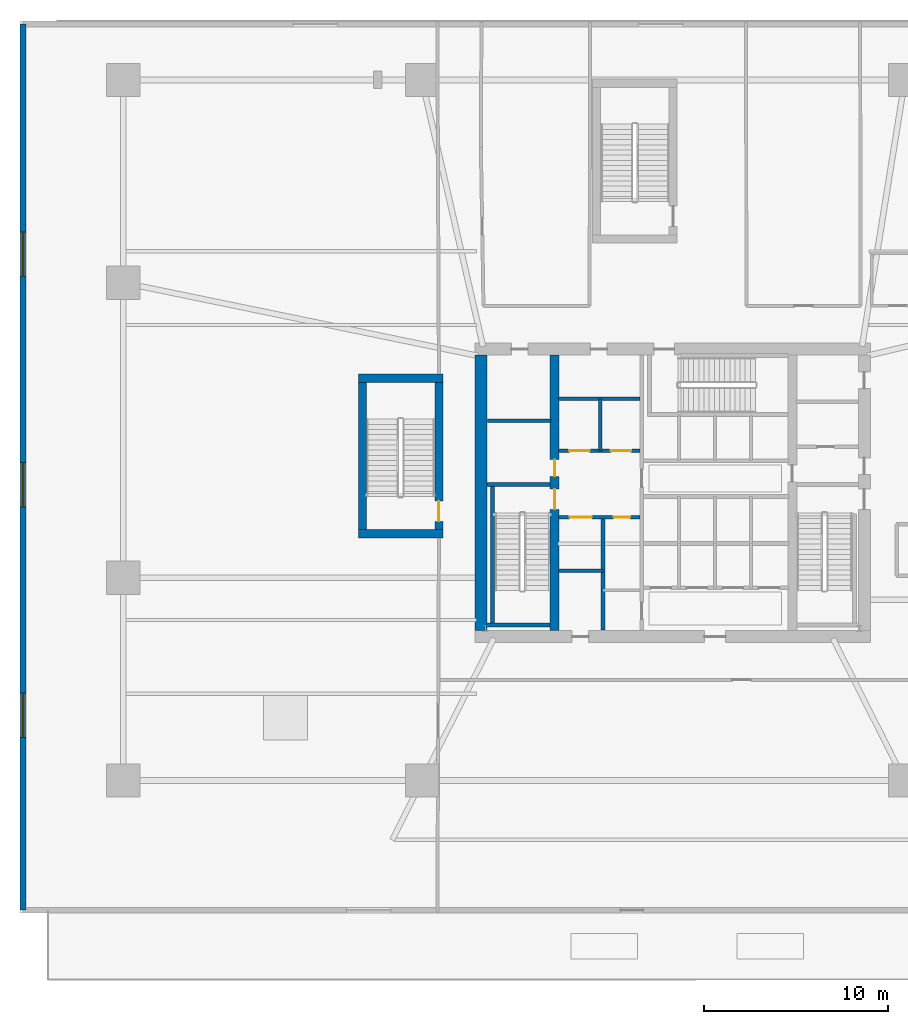
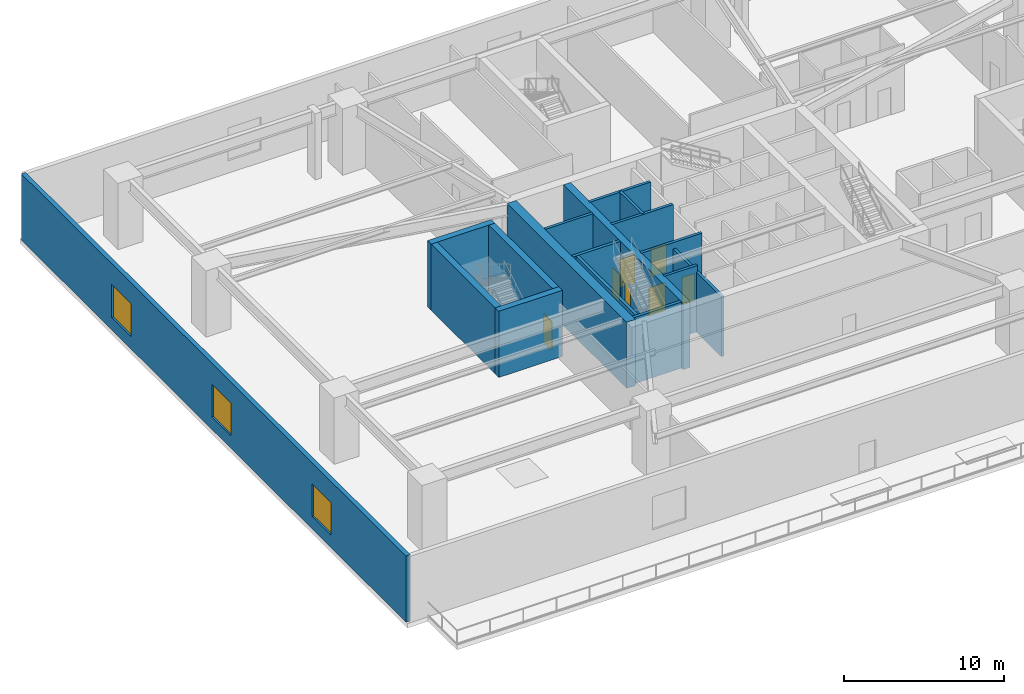
# One storey, part 4 of 11: 17 walls, 7 doors, 3 windows, 10 openings.
"""IFC4 building model written with IfcOpenShell, lengths in metres."""

from ifc_helpers import new_model, si_unit, direction, frame, frame_2d, origin, place, context, subcontext, project, spatial, rectangle, extrude, material, layer, layer_set, type_object, element, fill, save


model = new_model("IFC4")

# Units and contexts
model_context = context("Model", 3, precision=1e-05, world=origin(), true_north=direction((0.0, 1.0)))
body_context = subcontext(model_context, "Body", "Model", "MODEL_VIEW")
ifc_project = project(units=[si_unit("LENGTHUNIT", "METRE"), si_unit("AREAUNIT", "SQUARE_METRE"), si_unit("VOLUMEUNIT", "CUBIC_METRE"), si_unit("PLANEANGLEUNIT", "RADIAN"), si_unit("MASSUNIT", "GRAM", prefix="KILO")], contexts=[model_context])

# Site, building, storey
site_placement = place(None, origin())
site = spatial("IfcSite", under=ifc_project, at=site_placement, CompositionType="ELEMENT")
building_placement = place(site_placement, origin())
building = spatial("IfcBuilding", under=site, at=building_placement, Name="Qarnah Convention Tower", CompositionType="ELEMENT")
storey_placement = place(building_placement, frame((0.0, 0.0, 5.39990234375)))
storey = spatial("IfcBuildingStorey", under=building, at=storey_placement, Name="L01", CompositionType="ELEMENT", Elevation=5.39990234375)

# Wall
ifc_material_1 = material(Name="Concrete C60/75", Category="concrete")
ifc_layer_1 = layer(ifc_material_1, 0.64990234375)
ifc_layer_set_1 = layer_set([ifc_layer_1], Name="Concrete C60/75")
wall_type_1 = type_object("IfcWallType", Name="WL-CORE-650", PredefinedType="SHEAR", material=ifc_layer_set_1)
wall_1_placement = place(storey_placement, frame((26.800048828125, 18.925048828125, 0.0), z_axis=(0.0, 0.0, 1.0), x_axis=(0.0, 1.0, 0.0)))
element("IfcWall", 1, at=wall_1_placement, inside=storey, type_object=wall_type_1, Name="L01 core west shear wall", PredefinedType="SHEAR", context=body_context, shape_type="SweptSolid", body=[
    extrude(rectangle(XDim=14.949951171875, YDim=0.64990234375, at=frame_2d((7.47509765625, 0.0))), origin(), (0.0, 0.0, 1.0), 5.050048828125),
])

# Wall, openings, doors
ifc_layer_2 = layer(ifc_material_1, 0.5)
ifc_layer_set_2 = layer_set([ifc_layer_2], Name="Concrete C60/75")
wall_type_2 = type_object("IfcWallType", Name="WL-CORE-INT-400", PredefinedType="SHEAR", material=ifc_layer_set_2)
wall_2_placement = place(storey_placement, frame((30.800048828125, 18.925048828125, 0.0), z_axis=(0.0, 0.0, 1.0), x_axis=(0.0, 1.0, 0.0)))
wall_2 = element("IfcWall", 2, at=wall_2_placement, inside=storey, type_object=wall_type_2, Name="L01 core west spine shear wall", PredefinedType="SHEAR", context=body_context, shape_type="SweptSolid", body=[
    extrude(rectangle(XDim=14.949951171875, YDim=0.5, at=frame_2d((7.47509765625, 0.0))), origin(), (0.0, 0.0, 1.0), 5.050048828125),
])
opening_1_placement = place(wall_2_placement, frame((6.574951171875, 0.0, 0.0)))
opening_1 = element("IfcOpeningElement", 3, at=opening_1_placement, cuts=wall_2, Name="Opening D-0101", PredefinedType="OPENING", context=body_context, shape_type="SweptSolid", body=[
    extrude(rectangle(XDim=1.10009765625, YDim=2.14990234375, at=frame_2d((0.550048828125, 1.074951171875))), frame((0.0, 0.260009765625, 0.0), z_axis=(0.0, -1.0, 0.0), x_axis=(1.0, 0.0, 0.0)), (0.0, 0.0, 1.0), 0.52001953125),
])
opening_2_placement = place(wall_2_placement, frame((8.375, 0.0, 0.0)))
opening_2 = element("IfcOpeningElement", 4, at=opening_2_placement, cuts=wall_2, Name="Opening D-0108", PredefinedType="OPENING", context=body_context, shape_type="SweptSolid", body=[
    extrude(rectangle(XDim=0.89990234375, YDim=2.10009765625, at=frame_2d((0.449951171875, 1.050048828125))), frame((0.0, 0.260009765625, 0.0), z_axis=(0.0, -1.0, 0.0), x_axis=(1.0, 0.0, 0.0)), (0.0, 0.0, 1.0), 0.52001953125),
])
ifc_material_2 = material(Name="Structural steel S355JR", Category="steel")
door_type_1 = type_object("IfcDoorType", Name="DT-RISER-900", OperationType="NOTDEFINED", PredefinedType="DOOR", material=ifc_material_2)
door_1_placement = place(opening_2_placement, origin())
door_1 = element("IfcDoor", 5, at=door_1_placement, inside=storey, type_object=door_type_1, Name="Door D-0108", OperationType="SINGLE_SWING_LEFT", OverallHeight=2.10009765625, OverallWidth=0.89990234375, PredefinedType="DOOR", context=body_context, shape_type="SweptSolid", body=[
    extrude(rectangle(XDim=0.89990234375, YDim=2.10009765625, at=frame_2d((0.449951171875, 1.050048828125))), frame((0.0, 0.02490234375, 0.0), z_axis=(0.0, -1.0, 0.0), x_axis=(1.0, 0.0, 0.0)), (0.0, 0.0, 1.0), 0.050048828125),
])
fill(opening_2, door_1)
door_type_2 = type_object("IfcDoorType", Name="DT-STAIR-1100", OperationType="NOTDEFINED", PredefinedType="DOOR", material=ifc_material_2)
door_2_placement = place(opening_1_placement, origin())
door_2 = element("IfcDoor", 6, at=door_2_placement, inside=storey, type_object=door_type_2, Name="Door D-0101", OperationType="SINGLE_SWING_RIGHT", OverallHeight=2.14990234375, OverallWidth=1.10009765625, PredefinedType="DOOR", context=body_context, shape_type="SweptSolid", body=[
    extrude(rectangle(XDim=1.10009765625, YDim=2.14990234375, at=frame_2d((0.550048828125, 1.074951171875))), frame((0.0, 0.02490234375, 0.0), z_axis=(0.0, -1.0, 0.0), x_axis=(1.0, 0.0, 0.0)), (0.0, 0.0, 1.0), 0.050048828125),
])
fill(opening_1, door_2)

# Wall
ifc_material_3 = material(Name="Concrete C45/55", Category="concrete")
ifc_layer_3 = layer(ifc_material_3, 0.199951171875)
ifc_layer_set_3 = layer_set([ifc_layer_3], Name="Concrete C45/55")
wall_type_3 = type_object("IfcWallType", Name="WL-CORE-PART-200", PredefinedType="SOLIDWALL", material=ifc_layer_set_3)
wall_3_placement = place(storey_placement, frame((27.14990234375, 30.320068359375, 0.0), z_axis=(0.0, 0.0, 1.0), x_axis=(1.0, 0.0, 0.0)))
element("IfcWall", 7, at=wall_3_placement, inside=storey, type_object=wall_type_3, Name="L01 interior wall IW-L01-ELRN", PredefinedType="SOLIDWALL", context=body_context, shape_type="SweptSolid", body=[
    extrude(rectangle(XDim=3.4501953125, YDim=0.199951171875, at=frame_2d((1.72509765625, 0.0))), origin(), (0.0, 0.0, 1.0), 5.050048828125),
])

# Wall, openings, doors
wall_4_placement = place(storey_placement, frame((31.0, 28.679931640625, 0.0), z_axis=(0.0, 0.0, 1.0), x_axis=(1.0, 0.0, 0.0)))
wall_4 = element("IfcWall", 8, at=wall_4_placement, inside=storey, type_object=wall_type_3, Name="L01 interior wall IW-L01-FFLS", PredefinedType="SOLIDWALL", context=body_context, shape_type="SweptSolid", body=[
    extrude(rectangle(XDim=4.419921875, YDim=0.199951171875, at=frame_2d((2.2099609375, 0.0))), origin(), (0.0, 0.0, 1.0), 5.050048828125),
])
opening_3_placement = place(wall_4_placement, frame((0.60009765625, 0.0, 0.0)))
opening_3 = element("IfcOpeningElement", 9, at=opening_3_placement, cuts=wall_4, Name="Opening LD-0101", PredefinedType="OPENING", context=body_context, shape_type="SweptSolid", body=[
    extrude(rectangle(XDim=1.10009765625, YDim=2.14990234375, at=frame_2d((0.550048828125, 1.074951171875))), frame((0.0, 0.10986328125, 0.0), z_axis=(0.0, -1.0, 0.0), x_axis=(1.0, 0.0, 0.0)), (0.0, 0.0, 1.0), 0.219970703125),
])
opening_4_placement = place(wall_4_placement, frame((2.85009765625, 0.0, 0.0)))
opening_4 = element("IfcOpeningElement", 10, at=opening_4_placement, cuts=wall_4, Name="Opening LD-0102", PredefinedType="OPENING", context=body_context, shape_type="SweptSolid", body=[
    extrude(rectangle(XDim=1.10009765625, YDim=2.14990234375, at=frame_2d((0.550048828125, 1.074951171875))), frame((0.0, 0.10986328125, 0.0), z_axis=(0.0, -1.0, 0.0), x_axis=(1.0, 0.0, 0.0)), (0.0, 0.0, 1.0), 0.219970703125),
])
door_type_3 = type_object("IfcDoorType", Name="DT-LIFT-1100", OperationType="SLIDING_TO_LEFT", PredefinedType="DOOR", material=ifc_material_2)
door_3_placement = place(opening_3_placement, origin())
door_3 = element("IfcDoor", 11, at=door_3_placement, inside=storey, type_object=door_type_3, Name="Door LD-0101", OperationType="SLIDING_TO_LEFT", OverallHeight=2.14990234375, OverallWidth=1.10009765625, PredefinedType="DOOR", context=body_context, shape_type="SweptSolid", body=[
    extrude(rectangle(XDim=1.10009765625, YDim=2.14990234375, at=frame_2d((0.550048828125, 1.074951171875))), frame((0.0, 0.02490234375, 0.0), z_axis=(0.0, -1.0, 0.0), x_axis=(1.0, 0.0, 0.0)), (0.0, 0.0, 1.0), 0.050048828125),
])
fill(opening_3, door_3)
door_4_placement = place(opening_4_placement, origin())
door_4 = element("IfcDoor", 12, at=door_4_placement, inside=storey, type_object=door_type_3, Name="Door LD-0102", OperationType="SLIDING_TO_LEFT", OverallHeight=2.14990234375, OverallWidth=1.10009765625, PredefinedType="DOOR", context=body_context, shape_type="SweptSolid", body=[
    extrude(rectangle(XDim=1.10009765625, YDim=2.14990234375, at=frame_2d((0.550048828125, 1.074951171875))), frame((0.0, 0.02490234375, 0.0), z_axis=(0.0, -1.0, 0.0), x_axis=(1.0, 0.0, 0.0)), (0.0, 0.0, 1.0), 0.050048828125),
])
fill(opening_4, door_4)

# Walls
wall_5_placement = place(storey_placement, frame((31.0, 31.5, 0.0), z_axis=(0.0, 0.0, 1.0), x_axis=(1.0, 0.0, 0.0)))
element("IfcWall", 13, at=wall_5_placement, inside=storey, type_object=wall_type_3, Name="L01 interior wall IW-L01-FFLN", PredefinedType="SOLIDWALL", context=body_context, shape_type="SweptSolid", body=[
    extrude(rectangle(XDim=4.419921875, YDim=0.199951171875, at=frame_2d((2.2099609375, 0.0))), origin(), (0.0, 0.0, 1.0), 5.050048828125),
])
wall_6_placement = place(storey_placement, frame((33.280029296875, 28.679931640625, 0.0), z_axis=(0.0, 0.0, 1.0), x_axis=(0.0, 1.0, 0.0)))
element("IfcWall", 14, at=wall_6_placement, inside=storey, type_object=wall_type_3, Name="L01 interior wall IW-L01-FFLM", PredefinedType="SOLIDWALL", context=body_context, shape_type="SweptSolid", body=[
    extrude(rectangle(XDim=2.820068359375, YDim=0.199951171875, at=frame_2d((1.41015625, 0.0))), origin(), (0.0, 0.0, 1.0), 5.050048828125),
])

# Wall, openings, doors
wall_7_placement = place(storey_placement, frame((31.0, 25.080078125, 0.0), z_axis=(0.0, 0.0, 1.0), x_axis=(1.0, 0.0, 0.0)))
wall_7 = element("IfcWall", 15, at=wall_7_placement, inside=storey, type_object=wall_type_3, Name="L01 interior wall IW-L01-FFLBS", PredefinedType="SOLIDWALL", context=body_context, shape_type="SweptSolid", body=[
    extrude(rectangle(XDim=4.419921875, YDim=0.199951171875, at=frame_2d((2.2099609375, 0.0))), origin(), (0.0, 0.0, 1.0), 5.050048828125),
])
opening_5_placement = place(wall_7_placement, frame((3.0, 0.0, 0.0)))
opening_5 = element("IfcOpeningElement", 16, at=opening_5_placement, cuts=wall_7, Name="Opening D-0115", PredefinedType="OPENING", context=body_context, shape_type="SweptSolid", body=[
    extrude(rectangle(XDim=0.89990234375, YDim=2.10009765625, at=frame_2d((0.449951171875, 1.050048828125))), frame((0.0, 0.10986328125, 0.0), z_axis=(0.0, -1.0, 0.0), x_axis=(1.0, 0.0, 0.0)), (0.0, 0.0, 1.0), 0.219970703125),
])
opening_6_placement = place(wall_7_placement, frame((0.6201171875, 0.0, 0.0)))
opening_6 = element("IfcOpeningElement", 17, at=opening_6_placement, cuts=wall_7, Name="Opening LD-0103", PredefinedType="OPENING", context=body_context, shape_type="SweptSolid", body=[
    extrude(rectangle(XDim=1.199951171875, YDim=2.14990234375, at=frame_2d((0.60009765625, 1.074951171875))), frame((0.0, 0.10986328125, 0.0), z_axis=(0.0, -1.0, 0.0), x_axis=(1.0, 0.0, 0.0)), (0.0, 0.0, 1.0), 0.219970703125),
])
door_type_4 = type_object("IfcDoorType", Name="DT-LIFT-1200", OperationType="SLIDING_TO_LEFT", PredefinedType="DOOR", material=ifc_material_2)
door_5_placement = place(opening_6_placement, origin())
door_5 = element("IfcDoor", 18, at=door_5_placement, inside=storey, type_object=door_type_4, Name="Door LD-0103", OperationType="SLIDING_TO_LEFT", OverallHeight=2.14990234375, OverallWidth=1.199951171875, PredefinedType="DOOR", context=body_context, shape_type="SweptSolid", body=[
    extrude(rectangle(XDim=1.199951171875, YDim=2.14990234375, at=frame_2d((0.60009765625, 1.074951171875))), frame((0.0, 0.02490234375, 0.0), z_axis=(0.0, -1.0, 0.0), x_axis=(1.0, 0.0, 0.0)), (0.0, 0.0, 1.0), 0.050048828125),
])
fill(opening_6, door_5)
door_6_placement = place(opening_5_placement, origin())
door_6 = element("IfcDoor", 19, at=door_6_placement, inside=storey, type_object=door_type_1, Name="Door D-0115", OperationType="SINGLE_SWING_RIGHT", OverallHeight=2.10009765625, OverallWidth=0.89990234375, PredefinedType="DOOR", context=body_context, shape_type="SweptSolid", body=[
    extrude(rectangle(XDim=0.89990234375, YDim=2.10009765625, at=frame_2d((0.449951171875, 1.050048828125))), frame((0.0, 0.02490234375, 0.0), z_axis=(0.0, -1.0, 0.0), x_axis=(1.0, 0.0, 0.0)), (0.0, 0.0, 1.0), 0.050048828125),
])
fill(opening_5, door_6)

# Walls
wall_8_placement = place(storey_placement, frame((33.419921875, 18.949951171875, 0.0), z_axis=(0.0, 0.0, 1.0), x_axis=(0.0, 1.0, 0.0)))
element("IfcWall", 20, at=wall_8_placement, inside=storey, type_object=wall_type_3, Name="L01 interior wall IW-L01-SVLE", PredefinedType="SOLIDWALL", context=body_context, shape_type="SweptSolid", body=[
    extrude(rectangle(XDim=6.130126953125, YDim=0.199951171875, at=frame_2d((3.06494140625, 0.0))), origin(), (0.0, 0.0, 1.0), 4.571044921875),
])
wall_9_placement = place(storey_placement, frame((31.0, 22.179931640625, 0.0), z_axis=(0.0, 0.0, 1.0), x_axis=(1.0, 0.0, 0.0)))
element("IfcWall", 21, at=wall_9_placement, inside=storey, type_object=wall_type_3, Name="L01 interior wall IW-L01-SVLS", PredefinedType="SOLIDWALL", context=body_context, shape_type="SweptSolid", body=[
    extrude(rectangle(XDim=2.419921875, YDim=0.199951171875, at=frame_2d((1.2099609375, 0.0))), origin(), (0.0, 0.0, 1.0), 5.050048828125),
])
ifc_layer_4 = layer(ifc_material_1, 0.219970703125)
ifc_layer_set_4 = layer_set([ifc_layer_4], Name="Concrete C60/75")
wall_type_4 = type_object("IfcWallType", Name="WL-CORE-STAIR-220", PredefinedType="SHEAR", material=ifc_layer_set_4)
wall_10_placement = place(storey_placement, frame((27.125, 26.860107421875, 0.0), z_axis=(0.0, 0.0, 1.0), x_axis=(1.0, 0.0, 0.0)))
element("IfcWall", 22, at=wall_10_placement, inside=storey, type_object=wall_type_4, Name="L01 stair shaft shear wall SW-L01-ST1N", PredefinedType="SHEAR", context=body_context, shape_type="SweptSolid", body=[
    extrude(rectangle(XDim=3.425048828125, YDim=0.219970703125, at=frame_2d((1.71240234375, 0.0))), origin(), (0.0, 0.0, 1.0), 5.050048828125),
])
wall_11_placement = place(storey_placement, frame((27.43994140625, 19.35009765625, 0.0), z_axis=(0.0, 0.0, 1.0), x_axis=(0.0, 1.0, 0.0)))
element("IfcWall", 23, at=wall_11_placement, inside=storey, type_object=wall_type_4, Name="L01 stair shaft shear wall SW-L01-ST1W", PredefinedType="SHEAR", context=body_context, shape_type="SweptSolid", body=[
    extrude(rectangle(XDim=7.39990234375, YDim=0.219970703125, at=frame_2d((3.699951171875, 0.0))), origin(), (0.0, 0.0, 1.0), 5.050048828125),
])
wall_12_placement = place(storey_placement, frame((27.125, 19.239990234375, 0.0), z_axis=(0.0, 0.0, 1.0), x_axis=(1.0, 0.0, 0.0)))
element("IfcWall", 24, at=wall_12_placement, inside=storey, type_object=wall_type_4, Name="L01 stair shaft shear wall SW-L01-ST1S", PredefinedType="SHEAR", context=body_context, shape_type="SweptSolid", body=[
    extrude(rectangle(XDim=3.425048828125, YDim=0.219970703125, at=frame_2d((1.71240234375, 0.0))), origin(), (0.0, 0.0, 1.0), 5.050048828125),
])

# Wall, openings, windows
ifc_material_4 = material(Name="Precast concrete C45/55", Category="concrete")
ifc_layer_5 = layer(ifc_material_4, 0.320068359375)
ifc_layer_set_5 = layer_set([ifc_layer_5], Name="Precast concrete C45/55")
wall_type_5 = type_object("IfcWallType", Name="WL-EXT-POD-320", PredefinedType="SOLIDWALL", material=ifc_layer_set_5)
wall_13_placement = place(storey_placement, frame((1.9599609375, 3.760009765625, 0.0), z_axis=(0.0, 0.0, 1.0), x_axis=(0.0, 1.0, 0.0)))
wall_13 = element("IfcWall", 25, at=wall_13_placement, inside=storey, type_object=wall_type_5, Name="L01 precast facade wall W", PredefinedType="SOLIDWALL", context=body_context, shape_type="SweptSolid", body=[
    extrude(rectangle(XDim=48.080078125, YDim=0.320068359375, at=frame_2d((24.0400390625, 0.0))), origin(), (0.0, 0.0, 1.0), 5.050048828125),
])
opening_7_placement = place(wall_13_placement, frame((9.3779296875, 0.0, 0.949951171875)))
opening_7 = element("IfcOpeningElement", 26, at=opening_7_placement, cuts=wall_13, Name="Opening WN1", PredefinedType="OPENING", context=body_context, shape_type="SweptSolid", body=[
    extrude(rectangle(XDim=2.39990234375, YDim=2.5, at=frame_2d((1.199951171875, 1.25))), frame((0.0, 0.169921875, 0.0), z_axis=(0.0, -1.0, 0.0), x_axis=(1.0, 0.0, 0.0)), (0.0, 0.0, 1.0), 0.340087890625),
])
opening_8_placement = place(wall_13_placement, frame((21.8779296875, 0.0, 0.949951171875)))
opening_8 = element("IfcOpeningElement", 27, at=opening_8_placement, cuts=wall_13, Name="Opening WN1", PredefinedType="OPENING", context=body_context, shape_type="SweptSolid", body=[
    extrude(rectangle(XDim=2.39990234375, YDim=2.5, at=frame_2d((1.199951171875, 1.25))), frame((0.0, 0.169921875, 0.0), z_axis=(0.0, -1.0, 0.0), x_axis=(1.0, 0.0, 0.0)), (0.0, 0.0, 1.0), 0.340087890625),
])
opening_9_placement = place(wall_13_placement, frame((34.37890625, 0.0, 0.949951171875)))
opening_9 = element("IfcOpeningElement", 28, at=opening_9_placement, cuts=wall_13, Name="Opening WN1", PredefinedType="OPENING", context=body_context, shape_type="SweptSolid", body=[
    extrude(rectangle(XDim=2.39990234375, YDim=2.5, at=frame_2d((1.199951171875, 1.25))), frame((0.0, 0.169921875, 0.0), z_axis=(0.0, -1.0, 0.0), x_axis=(1.0, 0.0, 0.0)), (0.0, 0.0, 1.0), 0.340087890625),
])
ifc_material_5 = material(Name="Tempered Low-E dark glass", Category="glass")
window_type = type_object("IfcWindowType", Name="WT-POD-2400X2600", PartitioningType="SINGLE_PANEL", PredefinedType="WINDOW", material=ifc_material_5)
window_1_placement = place(opening_7_placement, origin())
window_1 = element("IfcWindow", 29, at=window_1_placement, inside=storey, type_object=window_type, Name="Window WIN-L01-W1", OverallHeight=2.5, OverallWidth=2.39990234375, PartitioningType="SINGLE_PANEL", PredefinedType="WINDOW", context=body_context, shape_type="SweptSolid", body=[
    extrude(rectangle(XDim=2.39990234375, YDim=2.5, at=frame_2d((1.199951171875, 1.25))), frame((0.0, 0.030029296875, 0.0), z_axis=(0.0, -1.0, 0.0), x_axis=(1.0, 0.0, 0.0)), (0.0, 0.0, 1.0), 0.06005859375),
])
fill(opening_7, window_1)
window_2_placement = place(opening_8_placement, origin())
window_2 = element("IfcWindow", 30, at=window_2_placement, inside=storey, type_object=window_type, Name="Window WIN-L01-W2", OverallHeight=2.5, OverallWidth=2.39990234375, PartitioningType="SINGLE_PANEL", PredefinedType="WINDOW", context=body_context, shape_type="SweptSolid", body=[
    extrude(rectangle(XDim=2.39990234375, YDim=2.5, at=frame_2d((1.199951171875, 1.25))), frame((0.0, 0.030029296875, 0.0), z_axis=(0.0, -1.0, 0.0), x_axis=(1.0, 0.0, 0.0)), (0.0, 0.0, 1.0), 0.06005859375),
])
fill(opening_8, window_2)
window_3_placement = place(opening_9_placement, origin())
window_3 = element("IfcWindow", 31, at=window_3_placement, inside=storey, type_object=window_type, Name="Window WIN-L01-W3", OverallHeight=2.5, OverallWidth=2.39990234375, PartitioningType="SINGLE_PANEL", PredefinedType="WINDOW", context=body_context, shape_type="SweptSolid", body=[
    extrude(rectangle(XDim=2.39990234375, YDim=2.5, at=frame_2d((1.199951171875, 1.25))), frame((0.0, 0.030029296875, 0.0), z_axis=(0.0, -1.0, 0.0), x_axis=(1.0, 0.0, 0.0)), (0.0, 0.0, 1.0), 0.06005859375),
])
fill(opening_9, window_3)

# Walls
ifc_layer_6 = layer(ifc_material_1, 0.449951171875)
ifc_layer_set_6 = layer_set([ifc_layer_6], Name="Concrete C60/75")
wall_type_6 = type_object("IfcWallType", Name="WL-POD-CORE-450", PredefinedType="SHEAR", material=ifc_layer_set_6)
for number, where, z_axis, x_axis, name in (
    (32, (20.14990234375, 24.175048828125, 0.0), (0.0, 0.0, 1.0), (1.0, 0.0, 0.0), "L01 podium stair ST-5 south wall"),
    (33, (20.14990234375, 32.625, 0.0), (0.0, 0.0, 1.0), (1.0, 0.0, 0.0), "L01 podium stair ST-5 north wall"),
):
    element("IfcWall", number, at=place(storey_placement, frame(where, z_axis=z_axis, x_axis=x_axis)), inside=storey, type_object=wall_type_6, Name=name, PredefinedType="SHEAR", context=body_context, shape_type="SweptSolid", body=[
        extrude(rectangle(XDim=4.60009765625, YDim=0.449951171875, at=frame_2d((2.300048828125, 0.0))), origin(), (0.0, 0.0, 1.0), 5.050048828125),
    ])
wall_14_placement = place(storey_placement, frame((20.375, 24.39990234375, 0.0), z_axis=(0.0, 0.0, 1.0), x_axis=(0.0, 1.0, 0.0)))
element("IfcWall", 34, at=wall_14_placement, inside=storey, type_object=wall_type_6, Name="L01 podium stair ST-5 west wall", PredefinedType="SHEAR", context=body_context, shape_type="SweptSolid", body=[
    extrude(rectangle(XDim=8.0, YDim=0.449951171875, at=frame_2d((4.0, 0.0))), origin(), (0.0, 0.0, 1.0), 5.050048828125),
])

# Wall, opening, door
wall_15_placement = place(storey_placement, frame((24.52490234375, 24.39990234375, 0.0), z_axis=(0.0, 0.0, 1.0), x_axis=(0.0, 1.0, 0.0)))
wall_15 = element("IfcWall", 35, at=wall_15_placement, inside=storey, type_object=wall_type_6, Name="L01 podium stair ST-5 east wall", PredefinedType="SHEAR", context=body_context, shape_type="SweptSolid", body=[
    extrude(rectangle(XDim=8.0, YDim=0.449951171875, at=frame_2d((4.0, 0.0))), origin(), (0.0, 0.0, 1.0), 5.050048828125),
])
opening_10_placement = place(wall_15_placement, frame((0.449951171875, 0.0, 0.0)))
opening_10 = element("IfcOpeningElement", 36, at=opening_10_placement, cuts=wall_15, Name="Opening D-0117", PredefinedType="OPENING", context=body_context, shape_type="SweptSolid", body=[
    extrude(rectangle(XDim=1.10009765625, YDim=2.14990234375, at=frame_2d((0.550048828125, 1.074951171875))), frame((0.0, 0.23486328125, 0.0), z_axis=(0.0, -1.0, 0.0), x_axis=(1.0, 0.0, 0.0)), (0.0, 0.0, 1.0), 0.469970703125),
])
door_7_placement = place(opening_10_placement, origin())
door_7 = element("IfcDoor", 37, at=door_7_placement, inside=storey, type_object=door_type_2, Name="Door D-0117", OperationType="SINGLE_SWING_RIGHT", OverallHeight=2.14990234375, OverallWidth=1.10009765625, PredefinedType="DOOR", context=body_context, shape_type="SweptSolid", body=[
    extrude(rectangle(XDim=1.10009765625, YDim=2.14990234375, at=frame_2d((0.550048828125, 1.074951171875))), frame((0.0, 0.02490234375, 0.0), z_axis=(0.0, -1.0, 0.0), x_axis=(1.0, 0.0, 0.0)), (0.0, 0.0, 1.0), 0.050048828125),
])
fill(opening_10, door_7)

save(model, "model.ifc")
